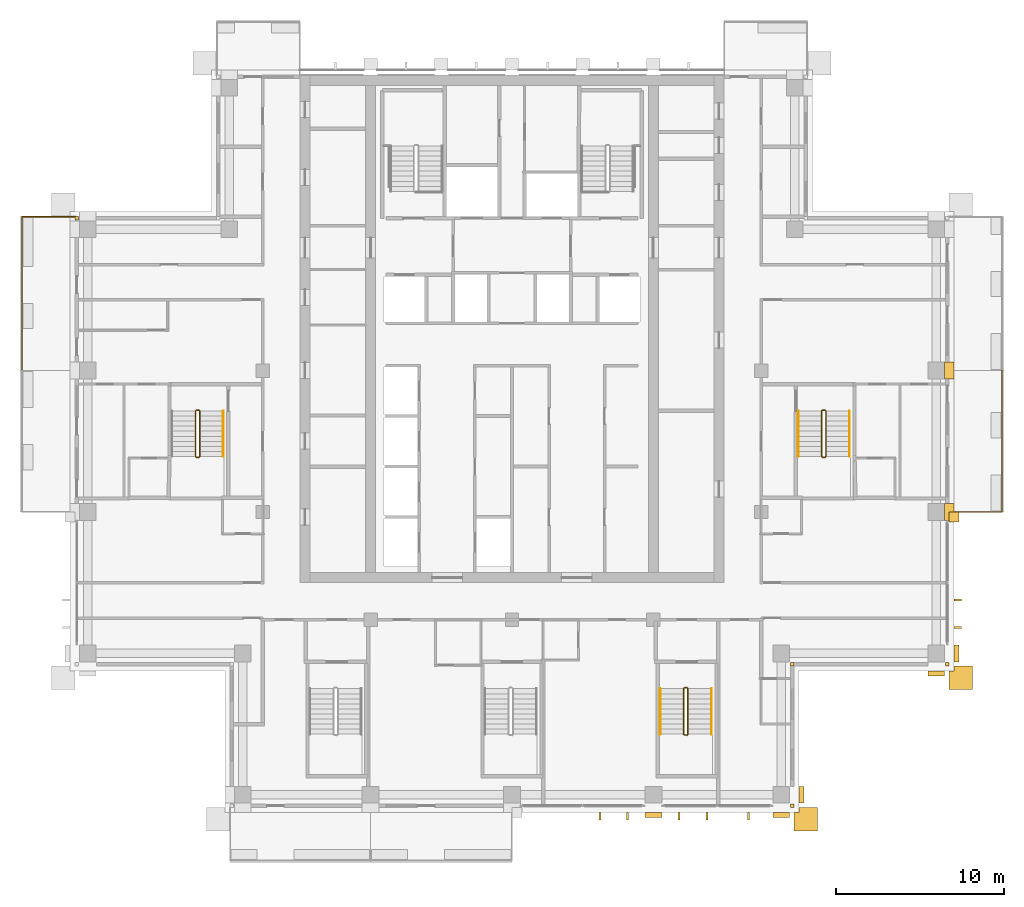
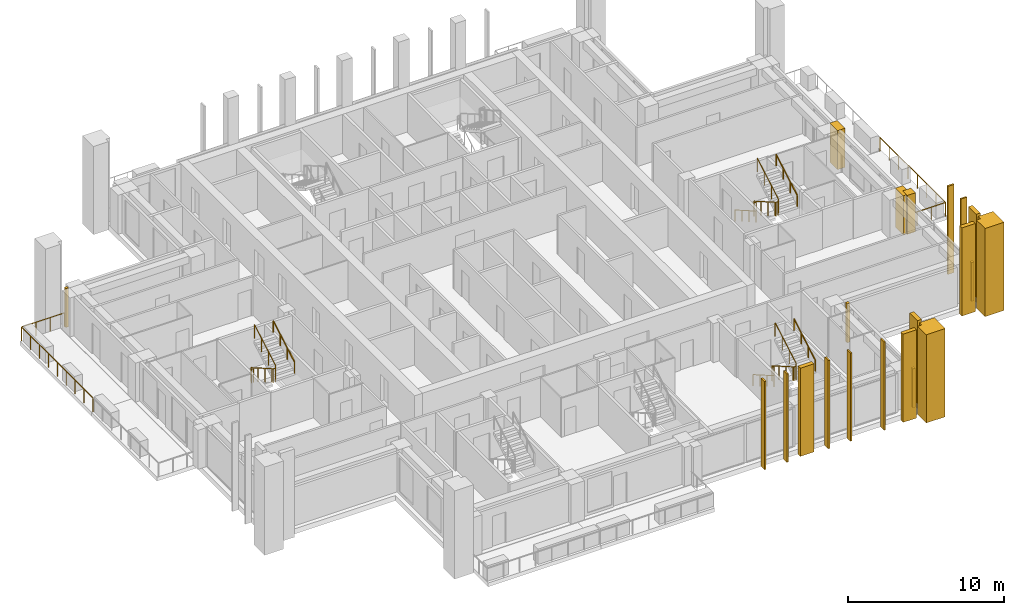
# One storey, part 15 of 17: 21 coverings, 10 railings.
"""IFC4 building model written with IfcOpenShell, lengths in metres."""

from ifc_helpers import new_model, si_unit, direction, frame, origin, origin_2d, place, context, subcontext, project, spatial, polyline, rectangle, outline, extrude, material, layer, layer_set, type_object, element, save


model = new_model("IFC4")

# Units and contexts
model_context = context("Model", 3, precision=1e-05, world=origin(), true_north=direction((0.0, 1.0)))
body_context = subcontext(model_context, "Body", "Model", "MODEL_VIEW")
ifc_project = project(units=[si_unit("LENGTHUNIT", "METRE"), si_unit("AREAUNIT", "SQUARE_METRE"), si_unit("VOLUMEUNIT", "CUBIC_METRE"), si_unit("PLANEANGLEUNIT", "RADIAN"), si_unit("MASSUNIT", "GRAM", prefix="KILO")], contexts=[model_context])

# Site, building, storey
site_placement = place(None, origin())
site = spatial("IfcSite", under=ifc_project, at=site_placement, CompositionType="ELEMENT")
building_placement = place(site_placement, origin())
building = spatial("IfcBuilding", under=site, at=building_placement, Name="Vermilion Ogive Tower", CompositionType="ELEMENT")
storey_placement = place(building_placement, frame((0.0, 0.0, 192.800048828125)))
storey = spatial("IfcBuildingStorey", under=building, at=storey_placement, Name="L50", CompositionType="ELEMENT", Elevation=192.800048828125)

# Railings
ifc_material_1 = material(Name="Stainless steel and glass", Category="steel")
railing_type_1 = type_object("IfcRailingType", Name="Balcony guard", PredefinedType="GUARDRAIL", material=ifc_material_1)
railing_1_placement = place(storey_placement, frame((25.949951171875, -4.199951171875, -0.0400390625)))
element("IfcRailing", 1, at=railing_1_placement, inside=storey, type_object=railing_type_1, Name="Guard E02", PredefinedType="GUARDRAIL", context=body_context, shape_type="SweptSolid", body=[
    extrude(rectangle(XDim=0.048095703125, YDim=0.048095703125, at=origin_2d()), frame((0.0, 0.0, 1.076171875), z_axis=(1.0, 0.0, 0.0), x_axis=(0.0, 1.0, 0.0)), (0.0, 0.0, 1.0), 3.16015625),
    extrude(rectangle(XDim=0.048095703125, YDim=0.048095703125, at=origin_2d()), frame((3.16015625, 0.0, 1.076171875), z_axis=(0.0, 1.0, 0.0), x_axis=(-1.0, 0.0, 0.0)), (0.0, 0.0, 1.0), 8.39990234375),
    extrude(rectangle(XDim=0.0419921875, YDim=0.0419921875, at=origin_2d()), origin(), (0.0, 0.0, 1.0), 1.052001953125),
    extrude(rectangle(XDim=0.0419921875, YDim=0.0419921875, at=origin_2d()), frame((1.053466796875, 0.0, 0.0)), (0.0, 0.0, 1.0), 1.052001953125),
    extrude(rectangle(XDim=0.0419921875, YDim=0.0419921875, at=origin_2d()), frame((2.106689453125, 0.0, 0.0)), (0.0, 0.0, 1.0), 1.052001953125),
    extrude(rectangle(XDim=0.0419921875, YDim=0.0419921875, at=origin_2d()), frame((3.16015625, 0.0, 0.0)), (0.0, 0.0, 1.0), 1.052001953125),
    extrude(rectangle(XDim=0.0419921875, YDim=0.0419921875, at=origin_2d()), frame((3.16015625, 1.199951171875, 0.0)), (0.0, 0.0, 1.0), 1.052001953125),
    extrude(rectangle(XDim=0.0419921875, YDim=0.0419921875, at=origin_2d()), frame((3.16015625, 2.39990234375, 0.0)), (0.0, 0.0, 1.0), 1.052001953125),
    extrude(rectangle(XDim=0.0419921875, YDim=0.0419921875, at=origin_2d()), frame((3.16015625, 3.599853515625, 0.0)), (0.0, 0.0, 1.0), 1.052001953125),
    extrude(rectangle(XDim=0.0419921875, YDim=0.0419921875, at=origin_2d()), frame((3.16015625, 4.800048828125, 0.0)), (0.0, 0.0, 1.0), 1.052001953125),
    extrude(rectangle(XDim=0.0419921875, YDim=0.0419921875, at=origin_2d()), frame((3.16015625, 6.0, 0.0)), (0.0, 0.0, 1.0), 1.052001953125),
    extrude(rectangle(XDim=0.0419921875, YDim=0.0419921875, at=origin_2d()), frame((3.16015625, 7.199951171875, 0.0)), (0.0, 0.0, 1.0), 1.052001953125),
    extrude(rectangle(XDim=0.0419921875, YDim=0.0419921875, at=origin_2d()), frame((3.16015625, 8.39990234375, 0.0)), (0.0, 0.0, 1.0), 1.052001953125),
])
railing_2_placement = place(storey_placement, frame((-25.949951171875, 13.35009765625, -0.0400390625)))
element("IfcRailing", 2, at=railing_2_placement, inside=storey, type_object=railing_type_1, Name="Guard W01", PredefinedType="GUARDRAIL", context=body_context, shape_type="SweptSolid", body=[
    extrude(rectangle(XDim=0.048095703125, YDim=0.048095703125, at=origin_2d()), frame((0.0, 0.0, 1.076171875), z_axis=(-1.0, 0.0, 0.0), x_axis=(0.0, -1.0, 0.0)), (0.0, 0.0, 1.0), 3.16015625),
    extrude(rectangle(XDim=0.048095703125, YDim=0.048095703125, at=origin_2d()), frame((-3.16015625, 0.0, 1.076171875), z_axis=(0.0, -1.0, 0.0), x_axis=(1.0, 0.0, 0.0)), (0.0, 0.0, 1.0), 9.150146484375),
    extrude(rectangle(XDim=0.0419921875, YDim=0.0419921875, at=origin_2d()), origin(), (0.0, 0.0, 1.0), 1.052001953125),
    extrude(rectangle(XDim=0.0419921875, YDim=0.0419921875, at=origin_2d()), frame((-1.053466796875, 0.0, 0.0)), (0.0, 0.0, 1.0), 1.052001953125),
    extrude(rectangle(XDim=0.0419921875, YDim=0.0419921875, at=origin_2d()), frame((-2.106689453125, 0.0, 0.0)), (0.0, 0.0, 1.0), 1.052001953125),
    extrude(rectangle(XDim=0.0419921875, YDim=0.0419921875, at=origin_2d()), frame((-3.16015625, 0.0, 0.0)), (0.0, 0.0, 1.0), 1.052001953125),
    extrude(rectangle(XDim=0.0419921875, YDim=0.0419921875, at=origin_2d()), frame((-3.16015625, -1.143798828125, 0.0)), (0.0, 0.0, 1.0), 1.052001953125),
    extrude(rectangle(XDim=0.0419921875, YDim=0.0419921875, at=origin_2d()), frame((-3.16015625, -2.28759765625, 0.0)), (0.0, 0.0, 1.0), 1.052001953125),
    extrude(rectangle(XDim=0.0419921875, YDim=0.0419921875, at=origin_2d()), frame((-3.16015625, -3.431396484375, 0.0)), (0.0, 0.0, 1.0), 1.052001953125),
    extrude(rectangle(XDim=0.0419921875, YDim=0.0419921875, at=origin_2d()), frame((-3.16015625, -4.5751953125, 0.0)), (0.0, 0.0, 1.0), 1.052001953125),
    extrude(rectangle(XDim=0.0419921875, YDim=0.0419921875, at=origin_2d()), frame((-3.16015625, -5.71875, 0.0)), (0.0, 0.0, 1.0), 1.052001953125),
    extrude(rectangle(XDim=0.0419921875, YDim=0.0419921875, at=origin_2d()), frame((-3.16015625, -6.862548828125, 0.0)), (0.0, 0.0, 1.0), 1.052001953125),
    extrude(rectangle(XDim=0.0419921875, YDim=0.0419921875, at=origin_2d()), frame((-3.16015625, -8.00634765625, 0.0)), (0.0, 0.0, 1.0), 1.052001953125),
    extrude(rectangle(XDim=0.0419921875, YDim=0.0419921875, at=origin_2d()), frame((-3.16015625, -9.150146484375, 0.0)), (0.0, 0.0, 1.0), 1.052001953125),
])

# Coverings
ifc_material_2 = material(Name="Glazed ceramic screen")
ifc_layer = layer(ifc_material_2, 0.14990234375)
ifc_layer_set = layer_set([ifc_layer], Name="Ceramic solar screen fin")
covering_type_1 = type_object("IfcCoveringType", Name="Ceramic solar screen fin", PredefinedType="CLADDING", material=ifc_layer_set)
covering_1_placement = place(storey_placement, frame((0.0, 0.0, -0.400146484375)))
element("IfcCovering", 3, at=covering_1_placement, inside=storey, type_object=covering_type_1, Name="Solar screen blade S011", PredefinedType="CLADDING", context=body_context, shape_type="SweptSolid", body=[
    extrude(outline(polyline([(5.1650390625, -22.5), (5.284912109375, -22.5), (5.284912109375, -22.050048828125), (5.1650390625, -22.050048828125), (5.1650390625, -22.5)])), origin(), (0.0, 0.0, 1.0), 6.900146484375),
])
covering_2_placement = place(storey_placement, frame((0.0, 0.0, -0.400146484375)))
element("IfcCovering", 4, at=covering_2_placement, inside=storey, type_object=covering_type_1, Name="Solar screen blade S012", PredefinedType="CLADDING", context=body_context, shape_type="SweptSolid", body=[
    extrude(outline(polyline([(6.81494140625, -22.5), (6.93505859375, -22.5), (6.93505859375, -22.050048828125), (6.81494140625, -22.050048828125), (6.81494140625, -22.5)])), origin(), (0.0, 0.0, 1.0), 6.900146484375),
])
covering_3_placement = place(storey_placement, frame((0.0, 0.0, -0.400146484375)))
element("IfcCovering", 5, at=covering_3_placement, inside=storey, type_object=covering_type_1, Name="Solar screen blade S021", PredefinedType="CLADDING", context=body_context, shape_type="SweptSolid", body=[
    extrude(outline(polyline([(9.864990234375, -22.5), (9.985107421875, -22.5), (9.985107421875, -22.050048828125), (9.864990234375, -22.050048828125), (9.864990234375, -22.5)])), origin(), (0.0, 0.0, 1.0), 6.900146484375),
])
covering_4_placement = place(storey_placement, frame((0.0, 0.0, -0.400146484375)))
element("IfcCovering", 6, at=covering_4_placement, inside=storey, type_object=covering_type_1, Name="Solar screen blade S022", PredefinedType="CLADDING", context=body_context, shape_type="SweptSolid", body=[
    extrude(outline(polyline([(11.514892578125, -22.5), (11.635009765625, -22.5), (11.635009765625, -22.050048828125), (11.514892578125, -22.050048828125), (11.514892578125, -22.5)])), origin(), (0.0, 0.0, 1.0), 6.900146484375),
])
covering_5_placement = place(storey_placement, frame((0.0, 0.0, -0.400146484375)))
element("IfcCovering", 7, at=covering_5_placement, inside=storey, type_object=covering_type_1, Name="Solar screen blade S031", PredefinedType="CLADDING", context=body_context, shape_type="SweptSolid", body=[
    extrude(outline(polyline([(13.989990234375, -22.5), (14.110107421875, -22.5), (14.110107421875, -22.050048828125), (13.989990234375, -22.050048828125), (13.989990234375, -22.5)])), origin(), (0.0, 0.0, 1.0), 6.900146484375),
])
covering_6_placement = place(storey_placement, frame((0.0, 0.0, -0.400146484375)))
element("IfcCovering", 8, at=covering_6_placement, inside=storey, type_object=covering_type_1, Name="Solar screen blade E971", PredefinedType="CLADDING", context=body_context, shape_type="SweptSolid", body=[
    extrude(outline(polyline([(26.699951171875, -11.135009765625), (26.699951171875, -11.014892578125), (26.25, -11.014892578125), (26.25, -11.135009765625), (26.699951171875, -11.135009765625)])), origin(), (0.0, 0.0, 1.0), 6.900146484375),
])
covering_7_placement = place(storey_placement, frame((0.0, 0.0, -0.400146484375)))
element("IfcCovering", 9, at=covering_7_placement, inside=storey, type_object=covering_type_1, Name="Solar screen blade E972", PredefinedType="CLADDING", context=body_context, shape_type="SweptSolid", body=[
    extrude(outline(polyline([(26.699951171875, -9.485107421875), (26.699951171875, -9.364990234375), (26.25, -9.364990234375), (26.25, -9.485107421875), (26.699951171875, -9.485107421875)])), origin(), (0.0, 0.0, 1.0), 6.900146484375),
])

# Railings
ifc_material_3 = material(Name="Steel S355 painted", Category="steel")
railing_type_2 = type_object("IfcRailingType", Name="Stair guard 1100", PredefinedType="GUARDRAIL", material=ifc_material_3)
railing_3_placement = place(storey_placement, frame((10.39990234375, -14.64990234375, 0.0)))
element("IfcRailing", 10, at=railing_3_placement, inside=storey, type_object=railing_type_2, Name="L50 ST5 stair guard 4", PredefinedType="GUARDRAIL", context=body_context, shape_type="SweptSolid", body=[
    extrude(rectangle(XDim=0.048095703125, YDim=0.048095703125, at=origin_2d()), frame((0.0, 0.0, 1.076171875), z_axis=(-1.0, 0.0, 0.0), x_axis=(0.0, -1.0, 0.0)), (0.0, 0.0, 1.0), 0.14990234375),
    extrude(rectangle(XDim=0.048095703125, YDim=0.048095703125, at=origin_2d()), frame((-0.14990234375, 0.0, 1.076171875), z_axis=(-0.268603158521, -0.268603158521, 0.925043072762), x_axis=(0.707106781187, -0.707106781187, 0.0)), (0.0, 0.0, 1.0), 0.186279296875),
    extrude(rectangle(XDim=0.048095703125, YDim=0.048095703125, at=origin_2d()), frame((-0.199951171875, -0.050048828125, 1.24853515625), z_axis=(0.0, -0.866903762492, 0.498475542607), x_axis=(1.0, 0.0, 0.0)), (0.0, 0.0, 1.0), 3.114501953125),
    extrude(rectangle(XDim=0.048095703125, YDim=0.048095703125, at=origin_2d()), frame((-0.199951171875, -2.75, 2.80078125), z_axis=(0.707106781187, -0.707106781187, 0.0), x_axis=(0.707106781187, 0.707106781187, 0.0)), (0.0, 0.0, 1.0), 0.07080078125),
    extrude(rectangle(XDim=0.048095703125, YDim=0.048095703125, at=origin_2d()), frame((-0.14990234375, -2.800048828125, 2.80078125), z_axis=(1.0, 0.0, 0.0), x_axis=(0.0, 1.0, 0.0)), (0.0, 0.0, 1.0), 0.14990234375),
    extrude(rectangle(XDim=0.048095703125, YDim=0.048095703125, at=origin_2d()), frame((0.0, -2.800048828125, 2.80078125), z_axis=(0.268277960024, 0.268277960024, 0.925231793839), x_axis=(-0.707106781187, 0.707106781187, 0.0)), (0.0, 0.0, 1.0), 0.1865234375),
    extrude(rectangle(XDim=0.048095703125, YDim=0.048095703125, at=origin_2d()), frame((0.050048828125, -2.75, 2.9736328125), z_axis=(0.0, 0.866903762492, 0.498475542607), x_axis=(-1.0, 0.0, 0.0)), (0.0, 0.0, 1.0), 3.114501953125),
    extrude(rectangle(XDim=0.0419921875, YDim=0.0419921875, at=origin_2d()), origin(), (0.0, 0.0, 1.0), 1.052001953125),
    extrude(rectangle(XDim=0.0419921875, YDim=0.0419921875, at=origin_2d()), frame((-0.14990234375, 0.0, 0.0)), (0.0, 0.0, 1.0), 1.052001953125),
    extrude(rectangle(XDim=0.0419921875, YDim=0.0419921875, at=origin_2d()), frame((-0.199951171875, -0.050048828125, 0.17236328125)), (0.0, 0.0, 1.0), 1.052001953125),
    extrude(rectangle(XDim=0.0419921875, YDim=0.0419921875, at=origin_2d()), frame((-0.199951171875, -0.949951171875, 0.68994140625)), (0.0, 0.0, 1.0), 1.052001953125),
    extrude(rectangle(XDim=0.0419921875, YDim=0.0419921875, at=origin_2d()), frame((-0.199951171875, -1.85009765625, 1.207275390625)), (0.0, 0.0, 1.0), 1.052001953125),
    extrude(rectangle(XDim=0.0419921875, YDim=0.0419921875, at=origin_2d()), frame((-0.199951171875, -2.75, 1.724853515625)), (0.0, 0.0, 1.0), 1.052001953125),
    extrude(rectangle(XDim=0.0419921875, YDim=0.0419921875, at=origin_2d()), frame((-0.14990234375, -2.800048828125, 1.724853515625)), (0.0, 0.0, 1.0), 1.052001953125),
    extrude(rectangle(XDim=0.0419921875, YDim=0.0419921875, at=origin_2d()), frame((0.0, -2.800048828125, 1.724853515625)), (0.0, 0.0, 1.0), 1.052001953125),
    extrude(rectangle(XDim=0.0419921875, YDim=0.0419921875, at=origin_2d()), frame((0.050048828125, -2.75, 1.8974609375)), (0.0, 0.0, 1.0), 1.052001953125),
    extrude(rectangle(XDim=0.0419921875, YDim=0.0419921875, at=origin_2d()), frame((0.050048828125, -1.85009765625, 2.4150390625)), (0.0, 0.0, 1.0), 1.052001953125),
    extrude(rectangle(XDim=0.0419921875, YDim=0.0419921875, at=origin_2d()), frame((0.050048828125, -0.949951171875, 2.932373046875)), (0.0, 0.0, 1.0), 1.052001953125),
    extrude(rectangle(XDim=0.0419921875, YDim=0.0419921875, at=origin_2d()), frame((0.050048828125, -0.050048828125, 3.449951171875)), (0.0, 0.0, 1.0), 1.052001953125),
])
railing_4_placement = place(storey_placement, frame((18.60009765625, 1.85009765625, 0.0)))
element("IfcRailing", 11, at=railing_4_placement, inside=storey, type_object=railing_type_2, Name="L50 ST8 stair guard 4", PredefinedType="GUARDRAIL", context=body_context, shape_type="SweptSolid", body=[
    extrude(rectangle(XDim=0.048095703125, YDim=0.048095703125, at=origin_2d()), frame((0.0, 0.0, 1.076171875), z_axis=(-1.0, 0.0, 0.0), x_axis=(0.0, -1.0, 0.0)), (0.0, 0.0, 1.0), 0.150146484375),
    extrude(rectangle(XDim=0.048095703125, YDim=0.048095703125, at=origin_2d()), frame((-0.150146484375, 0.0, 1.076171875), z_axis=(-0.268603158521, -0.268603158521, 0.925043072762), x_axis=(0.707106781187, -0.707106781187, 0.0)), (0.0, 0.0, 1.0), 0.186279296875),
    extrude(rectangle(XDim=0.048095703125, YDim=0.048095703125, at=origin_2d()), frame((-0.2001953125, -0.050048828125, 1.24853515625), z_axis=(0.0, -0.866903762492, 0.498475542607), x_axis=(1.0, 0.0, 0.0)), (0.0, 0.0, 1.0), 3.114501953125),
    extrude(rectangle(XDim=0.048095703125, YDim=0.048095703125, at=origin_2d()), frame((-0.2001953125, -2.75, 2.80078125), z_axis=(0.707106781187, -0.707106781187, 0.0), x_axis=(0.707106781187, 0.707106781187, 0.0)), (0.0, 0.0, 1.0), 0.07080078125),
    extrude(rectangle(XDim=0.048095703125, YDim=0.048095703125, at=origin_2d()), frame((-0.150146484375, -2.800048828125, 2.80078125), z_axis=(1.0, 0.0, 0.0), x_axis=(0.0, 1.0, 0.0)), (0.0, 0.0, 1.0), 0.150146484375),
    extrude(rectangle(XDim=0.048095703125, YDim=0.048095703125, at=origin_2d()), frame((0.0, -2.800048828125, 2.80078125), z_axis=(0.267062837333, 0.268371968888, 0.925556009775), x_axis=(-0.708833529934, 0.705375805398, 0.0)), (0.0, 0.0, 1.0), 0.1865234375),
    extrude(rectangle(XDim=0.048095703125, YDim=0.048095703125, at=origin_2d()), frame((0.0498046875, -2.75, 2.9736328125), z_axis=(0.0, 0.866903762492, 0.498475542607), x_axis=(-1.0, 0.0, 0.0)), (0.0, 0.0, 1.0), 3.114501953125),
    extrude(rectangle(XDim=0.0419921875, YDim=0.0419921875, at=origin_2d()), origin(), (0.0, 0.0, 1.0), 1.052001953125),
    extrude(rectangle(XDim=0.0419921875, YDim=0.0419921875, at=origin_2d()), frame((-0.150146484375, 0.0, 0.0)), (0.0, 0.0, 1.0), 1.052001953125),
    extrude(rectangle(XDim=0.0419921875, YDim=0.0419921875, at=origin_2d()), frame((-0.2001953125, -0.050048828125, 0.17236328125)), (0.0, 0.0, 1.0), 1.052001953125),
    extrude(rectangle(XDim=0.0419921875, YDim=0.0419921875, at=origin_2d()), frame((-0.2001953125, -0.949951171875, 0.68994140625)), (0.0, 0.0, 1.0), 1.052001953125),
    extrude(rectangle(XDim=0.0419921875, YDim=0.0419921875, at=origin_2d()), frame((-0.2001953125, -1.85009765625, 1.207275390625)), (0.0, 0.0, 1.0), 1.052001953125),
    extrude(rectangle(XDim=0.0419921875, YDim=0.0419921875, at=origin_2d()), frame((-0.2001953125, -2.75, 1.724853515625)), (0.0, 0.0, 1.0), 1.052001953125),
    extrude(rectangle(XDim=0.0419921875, YDim=0.0419921875, at=origin_2d()), frame((-0.150146484375, -2.800048828125, 1.724853515625)), (0.0, 0.0, 1.0), 1.052001953125),
    extrude(rectangle(XDim=0.0419921875, YDim=0.0419921875, at=origin_2d()), frame((0.0, -2.800048828125, 1.724853515625)), (0.0, 0.0, 1.0), 1.052001953125),
    extrude(rectangle(XDim=0.0419921875, YDim=0.0419921875, at=origin_2d()), frame((0.0498046875, -2.75, 1.8974609375)), (0.0, 0.0, 1.0), 1.052001953125),
    extrude(rectangle(XDim=0.0419921875, YDim=0.0419921875, at=origin_2d()), frame((0.0498046875, -1.85009765625, 2.4150390625)), (0.0, 0.0, 1.0), 1.052001953125),
    extrude(rectangle(XDim=0.0419921875, YDim=0.0419921875, at=origin_2d()), frame((0.0498046875, -0.949951171875, 2.932373046875)), (0.0, 0.0, 1.0), 1.052001953125),
    extrude(rectangle(XDim=0.0419921875, YDim=0.0419921875, at=origin_2d()), frame((0.0498046875, -0.050048828125, 3.449951171875)), (0.0, 0.0, 1.0), 1.052001953125),
])
railing_5_placement = place(storey_placement, frame((-18.60009765625, 1.85009765625, 0.0)))
element("IfcRailing", 12, at=railing_5_placement, inside=storey, type_object=railing_type_2, Name="L50 ST9 stair guard 4", PredefinedType="GUARDRAIL", context=body_context, shape_type="SweptSolid", body=[
    extrude(rectangle(XDim=0.048095703125, YDim=0.048095703125, at=origin_2d()), frame((0.0, 0.0, 1.076171875), z_axis=(-1.0, 0.0, 0.0), x_axis=(0.0, -1.0, 0.0)), (0.0, 0.0, 1.0), 0.14990234375),
    extrude(rectangle(XDim=0.048095703125, YDim=0.048095703125, at=origin_2d()), frame((-0.14990234375, 0.0, 1.076171875), z_axis=(-0.268603158521, -0.268603158521, 0.925043072762), x_axis=(0.707106781187, -0.707106781187, 0.0)), (0.0, 0.0, 1.0), 0.186279296875),
    extrude(rectangle(XDim=0.048095703125, YDim=0.048095703125, at=origin_2d()), frame((-0.199951171875, -0.050048828125, 1.24853515625), z_axis=(0.0, -0.866903762492, 0.498475542607), x_axis=(1.0, 0.0, 0.0)), (0.0, 0.0, 1.0), 3.114501953125),
    extrude(rectangle(XDim=0.048095703125, YDim=0.048095703125, at=origin_2d()), frame((-0.199951171875, -2.75, 2.80078125), z_axis=(0.707106781187, -0.707106781187, 0.0), x_axis=(0.707106781187, 0.707106781187, 0.0)), (0.0, 0.0, 1.0), 0.07080078125),
    extrude(rectangle(XDim=0.048095703125, YDim=0.048095703125, at=origin_2d()), frame((-0.14990234375, -2.800048828125, 2.80078125), z_axis=(1.0, 0.0, 0.0), x_axis=(0.0, 1.0, 0.0)), (0.0, 0.0, 1.0), 0.14990234375),
    extrude(rectangle(XDim=0.048095703125, YDim=0.048095703125, at=origin_2d()), frame((0.0, -2.800048828125, 2.80078125), z_axis=(0.268277960024, 0.268277960024, 0.925231793839), x_axis=(-0.707106781187, 0.707106781187, 0.0)), (0.0, 0.0, 1.0), 0.1865234375),
    extrude(rectangle(XDim=0.048095703125, YDim=0.048095703125, at=origin_2d()), frame((0.050048828125, -2.75, 2.9736328125), z_axis=(0.0, 0.866903762492, 0.498475542607), x_axis=(-1.0, 0.0, 0.0)), (0.0, 0.0, 1.0), 3.114501953125),
    extrude(rectangle(XDim=0.0419921875, YDim=0.0419921875, at=origin_2d()), origin(), (0.0, 0.0, 1.0), 1.052001953125),
    extrude(rectangle(XDim=0.0419921875, YDim=0.0419921875, at=origin_2d()), frame((-0.14990234375, 0.0, 0.0)), (0.0, 0.0, 1.0), 1.052001953125),
    extrude(rectangle(XDim=0.0419921875, YDim=0.0419921875, at=origin_2d()), frame((-0.199951171875, -0.050048828125, 0.17236328125)), (0.0, 0.0, 1.0), 1.052001953125),
    extrude(rectangle(XDim=0.0419921875, YDim=0.0419921875, at=origin_2d()), frame((-0.199951171875, -0.949951171875, 0.68994140625)), (0.0, 0.0, 1.0), 1.052001953125),
    extrude(rectangle(XDim=0.0419921875, YDim=0.0419921875, at=origin_2d()), frame((-0.199951171875, -1.85009765625, 1.207275390625)), (0.0, 0.0, 1.0), 1.052001953125),
    extrude(rectangle(XDim=0.0419921875, YDim=0.0419921875, at=origin_2d()), frame((-0.199951171875, -2.75, 1.724853515625)), (0.0, 0.0, 1.0), 1.052001953125),
    extrude(rectangle(XDim=0.0419921875, YDim=0.0419921875, at=origin_2d()), frame((-0.14990234375, -2.800048828125, 1.724853515625)), (0.0, 0.0, 1.0), 1.052001953125),
    extrude(rectangle(XDim=0.0419921875, YDim=0.0419921875, at=origin_2d()), frame((0.0, -2.800048828125, 1.724853515625)), (0.0, 0.0, 1.0), 1.052001953125),
    extrude(rectangle(XDim=0.0419921875, YDim=0.0419921875, at=origin_2d()), frame((0.050048828125, -2.75, 1.8974609375)), (0.0, 0.0, 1.0), 1.052001953125),
    extrude(rectangle(XDim=0.0419921875, YDim=0.0419921875, at=origin_2d()), frame((0.050048828125, -1.85009765625, 2.4150390625)), (0.0, 0.0, 1.0), 1.052001953125),
    extrude(rectangle(XDim=0.0419921875, YDim=0.0419921875, at=origin_2d()), frame((0.050048828125, -0.949951171875, 2.932373046875)), (0.0, 0.0, 1.0), 1.052001953125),
    extrude(rectangle(XDim=0.0419921875, YDim=0.0419921875, at=origin_2d()), frame((0.050048828125, -0.050048828125, 3.449951171875)), (0.0, 0.0, 1.0), 1.052001953125),
])
ifc_material_4 = material(Name="Stainless steel", Category="steel")
railing_type_3 = type_object("IfcRailingType", Name="Stair handrail 900", PredefinedType="HANDRAIL", material=ifc_material_4)
railing_6_placement = place(storey_placement, frame((8.800048828125, -14.699951171875, 0.17236328125)))
element("IfcRailing", 13, at=railing_6_placement, inside=storey, type_object=railing_type_3, Name="L50 ST5 stair handrail 1", PredefinedType="HANDRAIL", context=body_context, shape_type="SweptSolid", body=[
    extrude(rectangle(XDim=0.048095703125, YDim=0.048095703125, at=origin_2d()), frame((0.0, 0.0, 0.8759765625), z_axis=(0.0, -0.866903762492, 0.498475542607), x_axis=(1.0, 0.0, 0.0)), (0.0, 0.0, 1.0), 3.114501953125),
    extrude(rectangle(XDim=0.0419921875, YDim=0.0419921875, at=origin_2d()), origin(), (0.0, 0.0, 1.0), 0.851806640625),
    extrude(rectangle(XDim=0.0419921875, YDim=0.0419921875, at=origin_2d()), frame((0.0, -0.89990234375, 0.517578125)), (0.0, 0.0, 1.0), 0.851806640625),
    extrude(rectangle(XDim=0.0419921875, YDim=0.0419921875, at=origin_2d()), frame((0.0, -1.800048828125, 1.034912109375)), (0.0, 0.0, 1.0), 0.851806640625),
    extrude(rectangle(XDim=0.0419921875, YDim=0.0419921875, at=origin_2d()), frame((0.0, -2.699951171875, 1.552490234375)), (0.0, 0.0, 1.0), 0.851806640625),
])
railing_7_placement = place(storey_placement, frame((11.85009765625, -17.39990234375, 1.8974609375)))
element("IfcRailing", 14, at=railing_7_placement, inside=storey, type_object=railing_type_3, Name="L50 ST5 stair handrail 2", PredefinedType="HANDRAIL", context=body_context, shape_type="SweptSolid", body=[
    extrude(rectangle(XDim=0.048095703125, YDim=0.048095703125, at=origin_2d()), frame((0.0, 0.0, 0.8759765625), z_axis=(0.0, 0.866903762492, 0.498475542607), x_axis=(-1.0, 0.0, 0.0)), (0.0, 0.0, 1.0), 3.114501953125),
    extrude(rectangle(XDim=0.0419921875, YDim=0.0419921875, at=origin_2d()), origin(), (0.0, 0.0, 1.0), 0.851806640625),
    extrude(rectangle(XDim=0.0419921875, YDim=0.0419921875, at=origin_2d()), frame((0.0, 0.89990234375, 0.517578125)), (0.0, 0.0, 1.0), 0.851806640625),
    extrude(rectangle(XDim=0.0419921875, YDim=0.0419921875, at=origin_2d()), frame((0.0, 1.800048828125, 1.034912109375)), (0.0, 0.0, 1.0), 0.851806640625),
    extrude(rectangle(XDim=0.0419921875, YDim=0.0419921875, at=origin_2d()), frame((0.0, 2.699951171875, 1.552490234375)), (0.0, 0.0, 1.0), 0.851806640625),
])
railing_8_placement = place(storey_placement, frame((17.0, 1.800048828125, 0.17236328125)))
element("IfcRailing", 15, at=railing_8_placement, inside=storey, type_object=railing_type_3, Name="L50 ST8 stair handrail 1", PredefinedType="HANDRAIL", context=body_context, shape_type="SweptSolid", body=[
    extrude(rectangle(XDim=0.048095703125, YDim=0.048095703125, at=origin_2d()), frame((0.0, 0.0, 0.8759765625), z_axis=(0.0, -0.866903762492, 0.498475542607), x_axis=(1.0, 0.0, 0.0)), (0.0, 0.0, 1.0), 3.114501953125),
    extrude(rectangle(XDim=0.0419921875, YDim=0.0419921875, at=origin_2d()), origin(), (0.0, 0.0, 1.0), 0.851806640625),
    extrude(rectangle(XDim=0.0419921875, YDim=0.0419921875, at=origin_2d()), frame((0.0, -0.89990234375, 0.517578125)), (0.0, 0.0, 1.0), 0.851806640625),
    extrude(rectangle(XDim=0.0419921875, YDim=0.0419921875, at=origin_2d()), frame((0.0, -1.800048828125, 1.034912109375)), (0.0, 0.0, 1.0), 0.851806640625),
    extrude(rectangle(XDim=0.0419921875, YDim=0.0419921875, at=origin_2d()), frame((0.0, -2.699951171875, 1.552490234375)), (0.0, 0.0, 1.0), 0.851806640625),
])
for number, where, name in (
    (16, (20.050048828125, -0.89990234375, 1.8974609375), "L50 ST8 stair handrail 2"),
    (17, (-17.14990234375, -0.89990234375, 1.8974609375), "L50 ST9 stair handrail 2"),
):
    element("IfcRailing", number, at=place(storey_placement, frame(where)), inside=storey, type_object=railing_type_3, Name=name, PredefinedType="HANDRAIL", context=body_context, shape_type="SweptSolid", body=[
        extrude(rectangle(XDim=0.048095703125, YDim=0.048095703125, at=origin_2d()), frame((0.0, 0.0, 0.8759765625), z_axis=(0.0, 0.866903762492, 0.498475542607), x_axis=(-1.0, 0.0, 0.0)), (0.0, 0.0, 1.0), 3.114501953125),
        extrude(rectangle(XDim=0.0419921875, YDim=0.0419921875, at=origin_2d()), origin(), (0.0, 0.0, 1.0), 0.851806640625),
        extrude(rectangle(XDim=0.0419921875, YDim=0.0419921875, at=origin_2d()), frame((0.0, 0.89990234375, 0.517578125)), (0.0, 0.0, 1.0), 0.851806640625),
        extrude(rectangle(XDim=0.0419921875, YDim=0.0419921875, at=origin_2d()), frame((0.0, 1.800048828125, 1.034912109375)), (0.0, 0.0, 1.0), 0.851806640625),
        extrude(rectangle(XDim=0.0419921875, YDim=0.0419921875, at=origin_2d()), frame((0.0, 2.699951171875, 1.552490234375)), (0.0, 0.0, 1.0), 0.851806640625),
    ])

# Coverings
ifc_material_5 = material(Name="Stone cladding", Category="masonry")
covering_type_2 = type_object("IfcCoveringType", Name="Stone corner buttress", PredefinedType="CLADDING", material=ifc_material_5)
covering_8_placement = place(storey_placement, origin())
element("IfcCovering", 18, at=covering_8_placement, inside=storey, type_object=covering_type_2, Name="Stone crease pier EK", PredefinedType="CLADDING", context=body_context, shape_type="SweptSolid", body=[
    extrude(outline(polyline([(26.550048828125, -4.800048828125), (26.550048828125, -4.199951171875), (25.949951171875, -4.199951171875), (25.949951171875, -4.800048828125), (26.550048828125, -4.800048828125)])), origin(), (0.0, 0.0, 1.0), 3.050048828125),
])
covering_9_placement = place(storey_placement, frame((0.0, 0.0, -0.400146484375)))
element("IfcCovering", 19, at=covering_9_placement, inside=storey, type_object=covering_type_2, Name="Stone corner buttress X11", PredefinedType="CLADDING", context=body_context, shape_type="SweptSolid", body=[
    extrude(outline(polyline([(16.75, -22.050048828125), (17.050048828125, -22.050048828125), (17.050048828125, -21.75), (18.14990234375, -21.75), (18.14990234375, -23.14990234375), (16.75, -23.14990234375), (16.75, -22.050048828125)])), origin(), (0.0, 0.0, 1.0), 6.900146484375),
])
covering_10_placement = place(storey_placement, frame((0.0, 0.0, -0.400146484375)))
element("IfcCovering", 20, at=covering_10_placement, inside=storey, type_object=covering_type_2, Name="Stone corner buttress E1", PredefinedType="CLADDING", context=body_context, shape_type="SweptSolid", body=[
    extrude(outline(polyline([(25.949951171875, -13.64990234375), (26.25, -13.64990234375), (26.25, -13.35009765625), (27.35009765625, -13.35009765625), (27.35009765625, -14.75), (25.949951171875, -14.75), (25.949951171875, -13.64990234375)])), origin(), (0.0, 0.0, 1.0), 6.900146484375),
])
ifc_material_6 = material(Name="Stone cladding", Category="masonry")
covering_type_3 = type_object("IfcCoveringType", Name="Stone pier", PredefinedType="CLADDING", material=ifc_material_6)
covering_11_placement = place(storey_placement, origin())
element("IfcCovering", 21, at=covering_11_placement, inside=storey, type_object=covering_type_3, Name="Stone corner pier SE1", PredefinedType="CLADDING", context=body_context, shape_type="SweptSolid", body=[
    extrude(outline(polyline([(16.550048828125, -21.550048828125), (16.75, -21.550048828125), (16.75, -21.75), (16.550048828125, -21.75), (16.550048828125, -21.550048828125)])), origin(), (0.0, 0.0, 1.0), 3.050048828125),
])
covering_12_placement = place(storey_placement, origin())
element("IfcCovering", 22, at=covering_12_placement, inside=storey, type_object=covering_type_3, Name="Stone corner pier X1E1", PredefinedType="CLADDING", context=body_context, shape_type="SweptSolid", body=[
    extrude(outline(polyline([(16.550048828125, -13.14990234375), (16.75, -13.14990234375), (16.75, -13.35009765625), (16.550048828125, -13.35009765625), (16.550048828125, -13.14990234375)])), origin(), (0.0, 0.0, 1.0), 3.050048828125),
])
covering_13_placement = place(storey_placement, origin())
element("IfcCovering", 23, at=covering_13_placement, inside=storey, type_object=covering_type_3, Name="Stone corner pier X2E1", PredefinedType="CLADDING", context=body_context, shape_type="SweptSolid", body=[
    extrude(outline(polyline([(25.75, -13.14990234375), (25.949951171875, -13.14990234375), (25.949951171875, -13.35009765625), (25.75, -13.35009765625), (25.75, -13.14990234375)])), origin(), (0.0, 0.0, 1.0), 3.050048828125),
])
covering_14_placement = place(storey_placement, origin())
element("IfcCovering", 24, at=covering_14_placement, inside=storey, type_object=covering_type_3, Name="Stone corner pier X6E1", PredefinedType="CLADDING", context=body_context, shape_type="SweptSolid", body=[
    extrude(outline(polyline([(-25.75, 13.14990234375), (-25.949951171875, 13.14990234375), (-25.949951171875, 13.35009765625), (-25.75, 13.35009765625), (-25.75, 13.14990234375)])), origin(), (0.0, 0.0, 1.0), 3.050048828125),
])
covering_15_placement = place(storey_placement, frame((0.0, 0.0, -0.400146484375)))
element("IfcCovering", 25, at=covering_15_placement, inside=storey, type_object=covering_type_3, Name="Stone pier P+0084-210", PredefinedType="CLADDING", context=body_context, shape_type="SweptSolid", body=[
    extrude(outline(polyline([(8.89990234375, -22.35009765625), (7.89990234375, -22.35009765625), (7.89990234375, -22.050048828125), (8.89990234375, -22.050048828125), (8.89990234375, -22.35009765625)])), origin(), (0.0, 0.0, 1.0), 6.900146484375),
])
covering_16_placement = place(storey_placement, frame((0.0, 0.0, -0.400146484375)))
element("IfcCovering", 26, at=covering_16_placement, inside=storey, type_object=covering_type_3, Name="Stone pier P+0160-210S", PredefinedType="CLADDING", context=body_context, shape_type="SweptSolid", body=[
    extrude(outline(polyline([(16.5, -22.35009765625), (15.5, -22.35009765625), (15.5, -22.050048828125), (16.5, -22.050048828125), (16.5, -22.35009765625)])), origin(), (0.0, 0.0, 1.0), 6.900146484375),
])
covering_17_placement = place(storey_placement, frame((0.0, 0.0, -0.400146484375)))
element("IfcCovering", 27, at=covering_17_placement, inside=storey, type_object=covering_type_3, Name="Stone pier P+0160-210X1", PredefinedType="CLADDING", context=body_context, shape_type="SweptSolid", body=[
    extrude(outline(polyline([(17.35009765625, -21.5), (17.050048828125, -21.5), (17.050048828125, -20.5), (17.35009765625, -20.5), (17.35009765625, -21.5)])), origin(), (0.0, 0.0, 1.0), 6.900146484375),
])
covering_18_placement = place(storey_placement, frame((0.0, 0.0, -0.400146484375)))
element("IfcCovering", 28, at=covering_18_placement, inside=storey, type_object=covering_type_3, Name="Stone pier P+0252-126X2", PredefinedType="CLADDING", context=body_context, shape_type="SweptSolid", body=[
    extrude(outline(polyline([(25.699951171875, -13.949951171875), (24.699951171875, -13.949951171875), (24.699951171875, -13.64990234375), (25.699951171875, -13.64990234375), (25.699951171875, -13.949951171875)])), origin(), (0.0, 0.0, 1.0), 6.900146484375),
])
covering_19_placement = place(storey_placement, frame((0.0, 0.0, -0.400146484375)))
element("IfcCovering", 29, at=covering_19_placement, inside=storey, type_object=covering_type_3, Name="Stone pier P+0252-126E", PredefinedType="CLADDING", context=body_context, shape_type="SweptSolid", body=[
    extrude(outline(polyline([(26.550048828125, -13.10009765625), (26.25, -13.10009765625), (26.25, -12.10009765625), (26.550048828125, -12.10009765625), (26.550048828125, -13.10009765625)])), origin(), (0.0, 0.0, 1.0), 6.900146484375),
])
covering_20_placement = place(storey_placement, origin())
element("IfcCovering", 30, at=covering_20_placement, inside=storey, type_object=covering_type_3, Name="Stone pier P+0252+042", PredefinedType="CLADDING", context=body_context, shape_type="SweptSolid", body=[
    extrude(outline(polyline([(25.699951171875, 4.699951171875), (26.25, 4.699951171875), (26.25, 3.699951171875), (25.699951171875, 3.699951171875), (25.699951171875, 4.699951171875), (25.699951171875, 4.699951171875)])), origin(), (0.0, 0.0, 1.0), 3.050048828125),
])
covering_21_placement = place(storey_placement, origin())
element("IfcCovering", 31, at=covering_21_placement, inside=storey, type_object=covering_type_3, Name="Stone pier P+0252-042", PredefinedType="CLADDING", context=body_context, shape_type="SweptSolid", body=[
    extrude(outline(polyline([(25.699951171875, -3.699951171875), (26.25, -3.699951171875), (26.25, -4.199951171875), (25.949951171875, -4.199951171875), (25.949951171875, -4.699951171875), (25.699951171875, -4.699951171875), (25.699951171875, -4.699951171875), (25.699951171875, -3.699951171875)])), origin(), (0.0, 0.0, 1.0), 3.050048828125),
])

save(model, "model.ifc")
